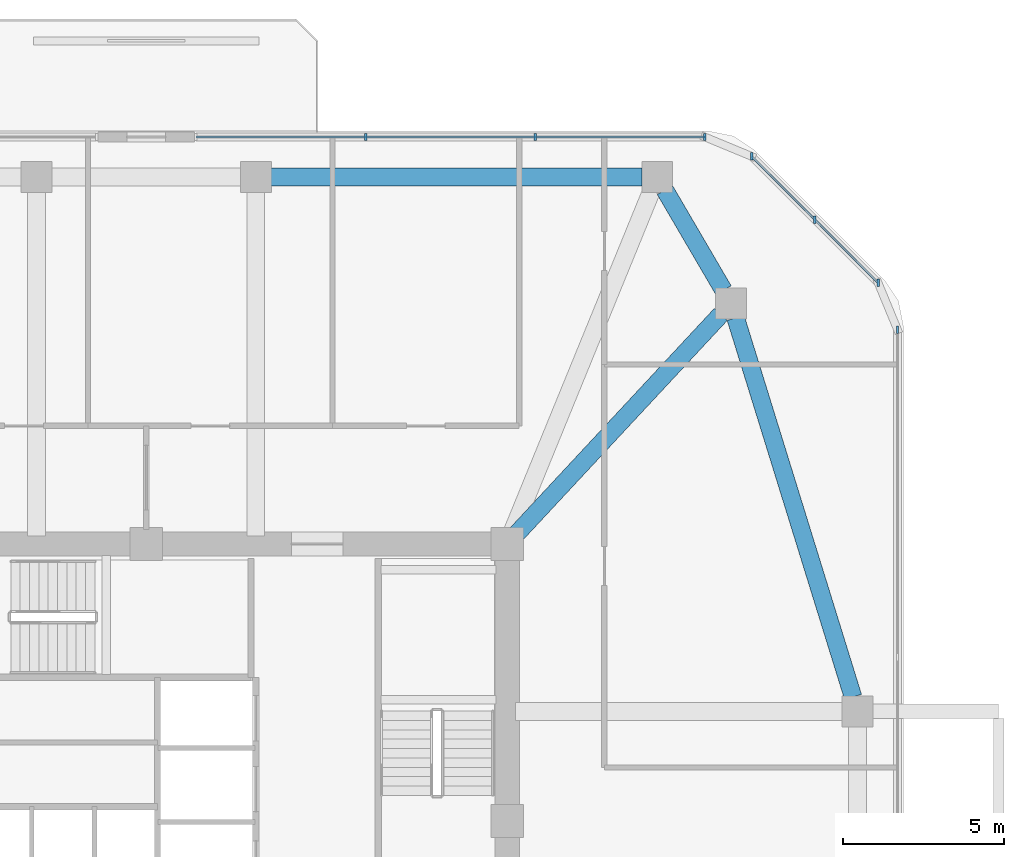
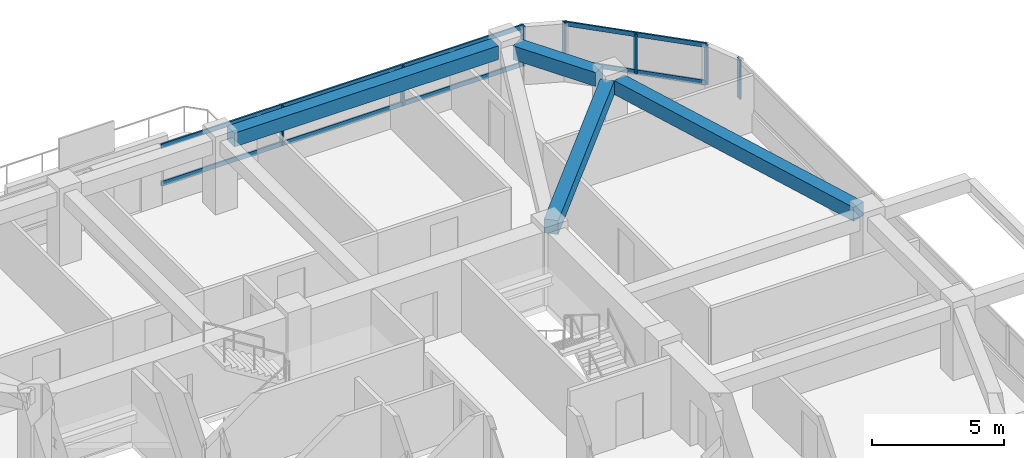
# One storey, part 5 of 11: 11 members, 4 beams, 3 elements without a shape of their own.
"""IFC4 building model written with IfcOpenShell, lengths in metres."""

import ifcopenshell
import ifcopenshell.guid

model = None  # the IFC model being written
_history = None  # IfcOwnerHistory: only IFC2X3 demands one
_inside = {}  # id of a spatial element -> (the spatial element, [elements in it])
_under = {}  # id of a project, library or spatial element -> (it, [spatial elements below it])
_declared = {}  # id of a project -> (the project, [libraries it declares])
_typed = {}  # id of a type object -> (the type object, [elements of that type])
_made_of = {}  # id of a material, layer set ... -> (it, [elements and type objects made of it])


def new_model(schema):
    """Start an empty IFC model of exactly this schema.

    Asked for "IFC4X3", IfcOpenShell would pick the latest addendum, in which some entities
    have other attributes; the version numbers below select the first issue.
    IFC2X3 requires an IfcOwnerHistory on every rooted entity: one is made here for all.
    """
    global model, _history
    if schema == "IFC4X3":
        model = ifcopenshell.file(schema_version=(4, 3, 0, 0))
    else:
        model = ifcopenshell.file(schema=schema)
    _inside.clear()
    _under.clear()
    _declared.clear()
    _typed.clear()
    _made_of.clear()
    _history = None
    if model.schema == "IFC2X3":
        org = make("IfcOrganization", Name="unknown")
        user = make(
            "IfcPersonAndOrganization",
            ThePerson=make("IfcPerson", FamilyName="unknown"),
            TheOrganization=org,
        )
        app = make(
            "IfcApplication",
            ApplicationDeveloper=org,
            Version="unknown",
            ApplicationFullName="unknown",
            ApplicationIdentifier="unknown",
        )
        _history = make(
            "IfcOwnerHistory",
            OwningUser=user,
            OwningApplication=app,
            ChangeAction="ADDED",
            CreationDate=0,
        )
    return model


def make(cls, **values):
    """One entity of the class cls with the attributes given. An attribute that is None is left unset."""
    return model.create_entity(
        cls, **{name: value for name, value in values.items() if value is not None}
    )


def rooted(cls, **values):
    """An entity with a GlobalId (a new one), such as an element, a storey or a relation."""
    return make(cls, GlobalId=ifcopenshell.guid.new(), OwnerHistory=_history, **values)


def si_unit(unit_type, name, prefix=None):
    """IfcSIUnit, for example si_unit("LENGTHUNIT", "METRE", prefix="MILLI")."""
    return make("IfcSIUnit", UnitType=unit_type, Prefix=prefix, Name=name)


def derived_unit(unit_type, elements):
    """IfcDerivedUnit: a product of units, each with its exponent."""
    return make(
        "IfcDerivedUnit",
        Elements=[
            make("IfcDerivedUnitElement", Unit=unit, Exponent=power)
            for unit, power in elements
        ],
        UnitType=unit_type,
    )


def assignment(units):
    """IfcUnitAssignment: the units of a project."""
    return None if units is None else make("IfcUnitAssignment", Units=units)


def point(xyz):
    """IfcCartesianPoint."""
    return None if xyz is None else make("IfcCartesianPoint", Coordinates=xyz)


def direction(xyz):
    """IfcDirection."""
    return None if xyz is None else make("IfcDirection", DirectionRatios=xyz)


def frame(location, z_axis=None, x_axis=None):
    """IfcAxis2Placement3D, a coordinate frame: its origin and axes. An axis left out is left unset."""
    return make(
        "IfcAxis2Placement3D",
        Location=point(location),
        Axis=direction(z_axis),
        RefDirection=direction(x_axis),
    )


def frame_2d(location, x_axis=None):
    """IfcAxis2Placement2D, a coordinate frame in the plane: its origin and x axis."""
    return make(
        "IfcAxis2Placement2D", Location=point(location), RefDirection=direction(x_axis)
    )


def origin():
    """The frame at (0, 0, 0) with its axes left unset."""
    return frame((0.0, 0.0, 0.0))


def origin_2d():
    """The frame at (0, 0) in the plane with its x axis left unset."""
    return frame_2d((0.0, 0.0))


def place(relative_to, where):
    """IfcLocalPlacement: puts the frame where relative to a parent placement (None: the world)."""
    return make(
        "IfcLocalPlacement", PlacementRelTo=relative_to, RelativePlacement=where
    )


def context(
    kind, dimensions, precision=None, world=None, true_north=None, identifier=None
):
    """IfcGeometricRepresentationContext, for example the 3D "Model" context."""
    return make(
        "IfcGeometricRepresentationContext",
        ContextIdentifier=identifier,
        ContextType=kind,
        CoordinateSpaceDimension=dimensions,
        Precision=precision,
        WorldCoordinateSystem=world,
        TrueNorth=true_north,
    )


def subcontext(parent, identifier, kind, view, scale=None):
    """IfcGeometricRepresentationSubContext, for example "Body" below "Model"."""
    return make(
        "IfcGeometricRepresentationSubContext",
        ContextIdentifier=identifier,
        ContextType=kind,
        ParentContext=parent,
        TargetScale=scale,
        TargetView=view,
    )


def project(units=None, contexts=None):
    """IfcProject with its units and contexts."""
    return rooted(
        "IfcProject",
        Name="project",
        RepresentationContexts=contexts,
        UnitsInContext=assignment(units),
    )


def spatial(cls, under=None, at=None, **own):
    """A site, building, storey or space (cls), placed at a placement, below another one or the project."""
    s = rooted(cls, ObjectPlacement=at, **own)
    if under is not None:
        _under.setdefault(under.id(), (under, []))[1].append(s)
    return s


def profile(cls, at=None, kind="AREA", **sizes):
    """A parametric profile (cls). Its sizes go by their IFC names, for example OverallWidth=200.0."""
    return make(cls, ProfileType=kind, Position=at, **sizes)


def rectangle(**sizes):
    """IfcRectangleProfileDef."""
    return profile("IfcRectangleProfileDef", **sizes)


def extrude(swept, where, along, depth):
    """IfcExtrudedAreaSolid: the profile swept, set in the frame where, extruded along a direction by depth."""
    return make(
        "IfcExtrudedAreaSolid",
        SweptArea=swept,
        Position=where,
        ExtrudedDirection=direction(along),
        Depth=depth,
    )


def shape(context_of_items, identifier, shape_type, items):
    """IfcShapeRepresentation: the items that make up one representation, for example the "Body"."""
    return make(
        "IfcShapeRepresentation",
        ContextOfItems=context_of_items,
        RepresentationIdentifier=identifier,
        RepresentationType=shape_type,
        Items=items,
    )


def material(Name=None, Category=None):
    """IfcMaterial."""
    return make("IfcMaterial", Name=Name, Category=Category)


def material_profile(
    of_material, cross_section, Name=None, Category=None, Priority=None
):
    """IfcMaterialProfile: a cross section and its material."""
    return make(
        "IfcMaterialProfile",
        Name=Name,
        Material=of_material,
        Profile=cross_section,
        Priority=Priority,
        Category=Category,
    )


def profile_set(profiles, Name=None, composite=None):
    """IfcMaterialProfileSet."""
    return make(
        "IfcMaterialProfileSet",
        Name=Name,
        MaterialProfiles=profiles,
        CompositeProfile=composite,
    )


def made_of(thing, what):
    """Note that an element or type object is made of a material, layer set ...; save() writes the relation."""
    if what is not None:
        _made_of.setdefault(what.id(), (what, []))[1].append(thing)
    return thing


def type_object(cls, material=None, **own):
    """A type object (cls), such as IfcWallType, which elements share."""
    return made_of(rooted(cls, **own), material)


def element(
    cls,
    number,
    at=None,
    inside=None,
    cuts=None,
    type_object=None,
    material=None,
    context=None,
    identifier="Body",
    shape_type=None,
    held_by="IfcProductDefinitionShape",
    body=None,
    shapes=None,
    **own,
):
    """One element of the class cls, such as IfcWall. Its Tag is "e" and its number.

    at: its placement. inside: the storey or other place that contains it. cuts: it is an
    opening in that element (IfcRelVoidsElement). A single representation is given by context,
    identifier, shape_type and body (its items); several are given by shapes. held_by: the class
    of the entity that holds the representations. save() writes the other relations.
    """
    e = rooted(cls, Tag="e%d" % number, ObjectPlacement=at, **own)
    if body is not None:
        shapes = [shape(context, identifier, shape_type, body)]
    if shapes is not None:
        e.Representation = make(held_by, Representations=shapes)
    if inside is not None:
        _inside.setdefault(inside.id(), (inside, []))[1].append(e)
    if cuts is not None:
        rooted(
            "IfcRelVoidsElement", RelatingBuildingElement=cuts, RelatedOpeningElement=e
        )
    if type_object is not None:
        _typed.setdefault(type_object.id(), (type_object, []))[1].append(e)
    return made_of(e, material)


def aggregate(whole, parts):
    """IfcRelAggregates: a whole, such as a stair, and the parts it consists of."""
    return rooted("IfcRelAggregates", RelatingObject=whole, RelatedObjects=parts)


def save(model, path):
    """Write the relations noted so far, then the file.

    IfcRelAggregates (storeys below a building ...), IfcRelContainedInSpatialStructure (elements
    in a storey), IfcRelDefinesByType, IfcRelAssociatesMaterial and IfcRelDeclares: one each for
    every whole, place, type object, material and project.
    """
    for whole, parts in _under.values():
        aggregate(whole, parts)
    for where, things in _inside.values():
        rooted(
            "IfcRelContainedInSpatialStructure",
            RelatedElements=things,
            RelatingStructure=where,
        )
    for kind, things in _typed.values():
        rooted("IfcRelDefinesByType", RelatedObjects=things, RelatingType=kind)
    for what, things in _made_of.values():
        rooted("IfcRelAssociatesMaterial", RelatedObjects=things, RelatingMaterial=what)
    for by, libraries in _declared.values():
        rooted("IfcRelDeclares", RelatingContext=by, RelatedDefinitions=libraries)
    model.write(path)


model = new_model("IFC4")

# Units and contexts
model_context = context("Model", 3, precision=1e-05, world=origin(), true_north=direction((0.0, 1.0)))
body_context = subcontext(model_context, "Body", "Model", "MODEL_VIEW")
ifc_project = project(units=[si_unit("LENGTHUNIT", "METRE"), si_unit("AREAUNIT", "SQUARE_METRE"), si_unit("VOLUMEUNIT", "CUBIC_METRE"), si_unit("PLANEANGLEUNIT", "RADIAN"), si_unit("MASSUNIT", "GRAM", prefix="KILO"), derived_unit("THERMALTRANSMITTANCEUNIT", [(si_unit("POWERUNIT", "WATT"), 1), (si_unit("LENGTHUNIT", "METRE"), -2), (si_unit("THERMODYNAMICTEMPERATUREUNIT", "KELVIN"), -1)])], contexts=[model_context])

# Site, building, storey
site_placement = place(None, origin())
site = spatial("IfcSite", under=ifc_project, at=site_placement, CompositionType="ELEMENT")
building_placement = place(site_placement, origin())
building = spatial("IfcBuilding", under=site, at=building_placement, Name="Koralith Skygarden Medical Center", CompositionType="ELEMENT")
storey_placement = place(building_placement, frame((0.0, 0.0, 167.219970703125)))
storey = spatial("IfcBuildingStorey", under=building, at=storey_placement, Name="L43", CompositionType="ELEMENT", Elevation=167.219970703125)

# Curtain wall, member
ifc_material_1 = material(Name="Clear Laminated Glass", Category="glass")
curtain_wall_type = type_object("IfcCurtainWallType", Name="CW-4 Zone 3 Waist High-Wind Curtain Wall", PredefinedType="NOTDEFINED", material=ifc_material_1)
curtain_wall_1_placement = place(storey_placement, origin())
curtain_wall_1 = element("IfcCurtainWall", 1, at=curtain_wall_1_placement, inside=storey, type_object=curtain_wall_type, Name="Curtain Wall CW-L43-E", PredefinedType="NOTDEFINED")
ifc_material_2 = material(Name="Aluminium 6063-T6", Category="aluminium")
ifc_material_profile_1 = material_profile(ifc_material_2, rectangle(XDim=0.076904296875, YDim=0.22998046875, at=origin_2d()), Name="MUL77X230")
ifc_profile_set_1 = profile_set([ifc_material_profile_1], Name="Aluminium 6063-T6")
member_type_1 = type_object("IfcMemberType", Name="CW-4 Extruded Mullion 77x230", PredefinedType="MULLION", material=ifc_profile_set_1)
member_1_placement = place(storey_placement, frame((60.303955078125, 41.14501953125, 0.85009765625), z_axis=(0.0, 0.0, 1.0), x_axis=(1.0, 0.0, 0.0)))
member_1 = element("IfcMember", 2, at=member_1_placement, type_object=member_type_1, Name="CW-L43-E Mullion 4", PredefinedType="MULLION", context=body_context, shape_type="SweptSolid", body=[
    extrude(rectangle(XDim=0.076904296875, YDim=0.22998046875, at=origin_2d()), origin(), (0.0, 0.0, 1.0), 1.81982421875),
])
aggregate(curtain_wall_1, [member_1])

# Curtain wall, members
curtain_wall_2_placement = place(storey_placement, origin())
curtain_wall_2 = element("IfcCurtainWall", 3, at=curtain_wall_2_placement, inside=storey, type_object=curtain_wall_type, Name="Curtain Wall CW-L43-NE", PredefinedType="NOTDEFINED")
member_2_placement = place(storey_placement, frame((59.702880859375, 42.595947265625, 0.85009765625), z_axis=(0.0, 0.0, 1.0), x_axis=(1.0, 0.0, 0.0)))
member_2 = element("IfcMember", 4, at=member_2_placement, type_object=member_type_1, Name="CW-L43-NE Mullion 1", PredefinedType="MULLION", context=body_context, shape_type="SweptSolid", body=[
    extrude(rectangle(XDim=0.076904296875, YDim=0.22998046875, at=origin_2d()), origin(), (0.0, 0.0, 1.0), 1.81982421875),
])
member_3_placement = place(storey_placement, frame((57.741943359375, 44.556884765625, 0.85009765625), z_axis=(0.0, 0.0, 1.0), x_axis=(1.0, 0.0, 0.0)))
member_3 = element("IfcMember", 5, at=member_3_placement, type_object=member_type_1, Name="CW-L43-NE Mullion 2", PredefinedType="MULLION", context=body_context, shape_type="SweptSolid", body=[
    extrude(rectangle(XDim=0.076904296875, YDim=0.22998046875, at=origin_2d()), origin(), (0.0, 0.0, 1.0), 1.81982421875),
])
member_4_placement = place(storey_placement, frame((55.780029296875, 46.51904296875, 0.85009765625), z_axis=(0.0, 0.0, 1.0), x_axis=(1.0, 0.0, 0.0)))
member_4 = element("IfcMember", 6, at=member_4_placement, type_object=member_type_1, Name="CW-L43-NE Mullion 3", PredefinedType="MULLION", context=body_context, shape_type="SweptSolid", body=[
    extrude(rectangle(XDim=0.076904296875, YDim=0.22998046875, at=origin_2d()), origin(), (0.0, 0.0, 1.0), 1.81982421875),
])

curtain_wall_3_placement = place(storey_placement, origin())
curtain_wall_3 = element("IfcCurtainWall", 7, at=curtain_wall_3_placement, inside=storey, type_object=curtain_wall_type, Name="Curtain Wall CW-L43-N-L", PredefinedType="NOTDEFINED")
member_5_placement = place(storey_placement, frame((54.3291015625, 47.1201171875, 0.85009765625), z_axis=(0.0, 0.0, 1.0), x_axis=(1.0, 0.0, 0.0)))
member_5 = element("IfcMember", 8, at=member_5_placement, type_object=member_type_1, Name="CW-L43-N-L Mullion 1", PredefinedType="MULLION", context=body_context, shape_type="SweptSolid", body=[
    extrude(rectangle(XDim=0.076904296875, YDim=0.22998046875, at=origin_2d()), origin(), (0.0, 0.0, 1.0), 1.81982421875),
])
member_6_placement = place(storey_placement, frame((49.06591796875, 47.1201171875, 0.85009765625), z_axis=(0.0, 0.0, 1.0), x_axis=(1.0, 0.0, 0.0)))
member_6 = element("IfcMember", 9, at=member_6_placement, type_object=member_type_1, Name="CW-L43-N-L Mullion 2", PredefinedType="MULLION", context=body_context, shape_type="SweptSolid", body=[
    extrude(rectangle(XDim=0.076904296875, YDim=0.22998046875, at=origin_2d()), origin(), (0.0, 0.0, 1.0), 1.81982421875),
])
member_7_placement = place(storey_placement, frame((43.803955078125, 47.1201171875, 0.85009765625), z_axis=(0.0, 0.0, 1.0), x_axis=(1.0, 0.0, 0.0)))
member_7 = element("IfcMember", 10, at=member_7_placement, type_object=member_type_1, Name="CW-L43-N-L Mullion 3", PredefinedType="MULLION", context=body_context, shape_type="SweptSolid", body=[
    extrude(rectangle(XDim=0.076904296875, YDim=0.22998046875, at=origin_2d()), origin(), (0.0, 0.0, 1.0), 1.81982421875),
])

# Member
ifc_material_profile_2 = material_profile(ifc_material_2, rectangle(XDim=0.072021484375, YDim=0.20703125, at=origin_2d()), Name="TRN72X207")
ifc_profile_set_2 = profile_set([ifc_material_profile_2], Name="Aluminium 6063-T6")
member_type_2 = type_object("IfcMemberType", Name="CW-4 Thermal Transom 72x207", PredefinedType="USERDEFINED", material=ifc_profile_set_2)
member_8_placement = place(storey_placement, frame((59.702880859375, 42.595947265625, 0.900146484375), z_axis=(-0.707084777957, 0.707128783731, 0.0), x_axis=(-0.707128783731, -0.707084777957, 0.0)))
member_8 = element("IfcMember", 11, at=member_8_placement, type_object=member_type_2, Name="CW-L43-NE Transom 1", ObjectType="TRANSOM", PredefinedType="USERDEFINED", context=body_context, shape_type="SweptSolid", body=[
    extrude(rectangle(XDim=0.072021484375, YDim=0.20703125, at=origin_2d()), origin(), (0.0, 0.0, 1.0), 5.5478515625),
])

member_9_placement = place(storey_placement, frame((59.702880859375, 42.595947265625, 2.6201171875), z_axis=(-0.707084777957, 0.707128783731, 0.0), x_axis=(-0.707128783731, -0.707084777957, 0.0)))
member_9 = element("IfcMember", 12, at=member_9_placement, type_object=member_type_2, Name="CW-L43-NE Transom 2", ObjectType="TRANSOM", PredefinedType="USERDEFINED", context=body_context, shape_type="SweptSolid", body=[
    extrude(rectangle(XDim=0.072021484375, YDim=0.20703125, at=origin_2d()), origin(), (0.0, 0.0, 1.0), 5.5478515625),
])

aggregate(curtain_wall_2, [member_2, member_3, member_4, member_8, member_9])

member_10_placement = place(storey_placement, frame((54.3291015625, 47.1201171875, 0.900146484375), z_axis=(-1.0, 0.0, 0.0), x_axis=(0.0, -1.0, 0.0)))
member_10 = element("IfcMember", 13, at=member_10_placement, type_object=member_type_2, Name="CW-L43-N-L Transom 1", ObjectType="TRANSOM", PredefinedType="USERDEFINED", context=body_context, shape_type="SweptSolid", body=[
    extrude(rectangle(XDim=0.072021484375, YDim=0.20703125, at=origin_2d()), origin(), (0.0, 0.0, 1.0), 15.7880859375),
])

member_11_placement = place(storey_placement, frame((54.3291015625, 47.1201171875, 2.6201171875), z_axis=(-1.0, 0.0, 0.0), x_axis=(0.0, -1.0, 0.0)))
member_11 = element("IfcMember", 14, at=member_11_placement, type_object=member_type_2, Name="CW-L43-N-L Transom 2", ObjectType="TRANSOM", PredefinedType="USERDEFINED", context=body_context, shape_type="SweptSolid", body=[
    extrude(rectangle(XDim=0.072021484375, YDim=0.20703125, at=origin_2d()), origin(), (0.0, 0.0, 1.0), 15.7880859375),
])

aggregate(curtain_wall_3, [member_5, member_6, member_7, member_10, member_11])

# Beams
ifc_material_3 = material(Name="Concrete C45/55", Category="concrete")
ifc_material_profile_3 = material_profile(ifc_material_3, rectangle(XDim=0.550048828125, YDim=0.639892578125, at=origin_2d()), Name="RCB550X640")
ifc_profile_set_3 = profile_set([ifc_material_profile_3], Name="Concrete C45/55")
beam_type_1 = type_object("IfcBeamType", Name="Radial Collector Beam RCB550X640", PredefinedType="BEAM", material=ifc_profile_set_3)
beam_1_placement = place(storey_placement, frame((48.3701171875, 34.68310546875, 3.0), z_axis=(0.681369011591, 0.731940072713, 0.0), x_axis=(-0.731940072713, 0.681369011591, 0.0)))
element("IfcBeam", 15, at=beam_1_placement, inside=storey, type_object=beam_type_1, Name="L43 Radial Collector Beam RB-10", PredefinedType="BEAM", context=body_context, shape_type="SweptSolid", body=[
    extrude(rectangle(XDim=0.550048828125, YDim=0.639892578125, at=origin_2d()), origin(), (0.0, 0.0, 1.0), 9.471923828125),
])
ifc_material_profile_4 = material_profile(ifc_material_3, rectangle(XDim=0.550048828125, YDim=0.639892578125, at=origin_2d()), Name="RCB550X640")
ifc_profile_set_4 = profile_set([ifc_material_profile_4], Name="Concrete C45/55")
beam_type_2 = type_object("IfcBeamType", Name="Zone 2-3 Spandrel Beam RCB550X640", PredefinedType="SPANDREL", material=ifc_profile_set_4)
beam_2_placement = place(storey_placement, frame((58.925048828125, 29.7490234375, 3.0), z_axis=(-0.295793585147, 0.955251880389, 0.0), x_axis=(-0.955251880389, -0.295793585147, 0.0)))
element("IfcBeam", 16, at=beam_2_placement, inside=storey, type_object=beam_type_2, Name="L43 Perimeter Spandrel Beam SP-09", PredefinedType="SPANDREL", context=body_context, shape_type="SweptSolid", body=[
    extrude(rectangle(XDim=0.550048828125, YDim=0.639892578125, at=origin_2d()), origin(), (0.0, 0.0, 1.0), 12.31298828125),
])
beam_3_placement = place(storey_placement, frame((54.906982421875, 42.365966796875, 3.0), z_axis=(-0.504861391295, 0.863200426077, 0.0), x_axis=(-0.863200426077, -0.504861391295, 0.0)))
element("IfcBeam", 17, at=beam_3_placement, inside=storey, type_object=beam_type_2, Name="L43 Perimeter Spandrel Beam SP-10", PredefinedType="SPANDREL", context=body_context, shape_type="SweptSolid", body=[
    extrude(rectangle(XDim=0.550048828125, YDim=0.639892578125, at=origin_2d()), origin(), (0.0, 0.0, 1.0), 3.600830078125),
])
beam_4_placement = place(storey_placement, frame((52.382080078125, 45.8798828125, 3.0), z_axis=(-1.0, 0.0, 0.0), x_axis=(0.0, -1.0, 0.0)))
element("IfcBeam", 18, at=beam_4_placement, inside=storey, type_object=beam_type_2, Name="L43 Perimeter Spandrel Beam SP-11", PredefinedType="SPANDREL", context=body_context, shape_type="SweptSolid", body=[
    extrude(rectangle(XDim=0.550048828125, YDim=0.639892578125, at=origin_2d()), origin(), (0.0, 0.0, 1.0), 11.511962890625),
])

save(model, "model.ifc")
